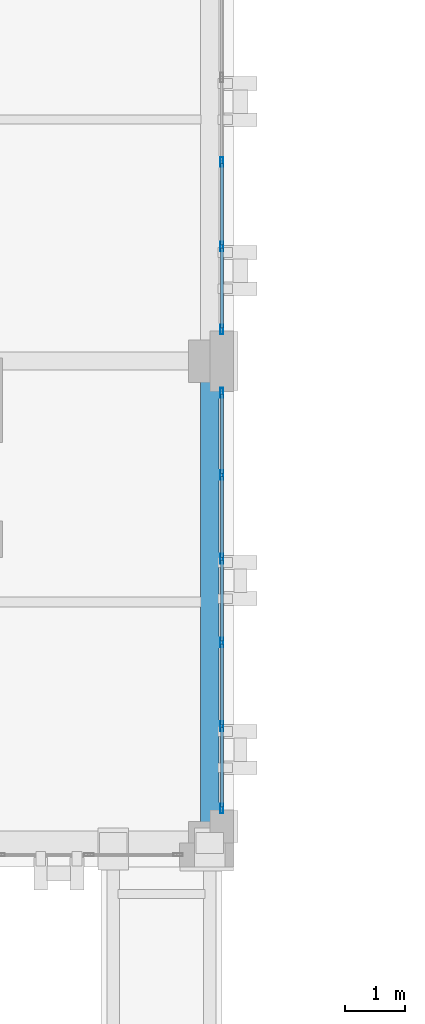
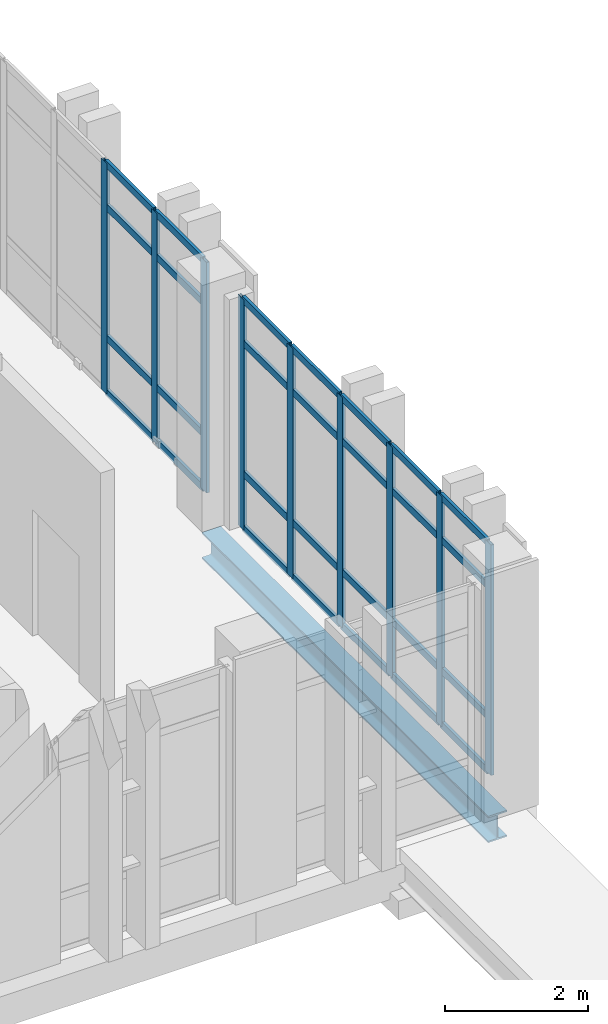
# One storey, part 32 of 158: 37 members, 1 beam, 2 elements without a shape of their own.
"""IFC4 building model written with IfcOpenShell, lengths in metres."""

from ifc_helpers import new_model, si_unit, direction, frame, origin, origin_2d, place, context, subcontext, project, spatial, hollow_rectangle, i_section, extrude, material, layer, layer_set, material_profile, profile_set, type_object, element, aggregate, save


model = new_model("IFC4")

# Units and contexts
model_context = context("Model", 3, precision=1e-05, world=origin(), true_north=direction((0.0, 1.0)))
body_context = subcontext(model_context, "Body", "Model", "MODEL_VIEW")
ifc_project = project(units=[si_unit("LENGTHUNIT", "METRE"), si_unit("AREAUNIT", "SQUARE_METRE"), si_unit("VOLUMEUNIT", "CUBIC_METRE"), si_unit("PLANEANGLEUNIT", "RADIAN"), si_unit("MASSUNIT", "GRAM", prefix="KILO")], contexts=[model_context])

# Site, building, storey
site_placement = place(None, origin())
site = spatial("IfcSite", under=ifc_project, at=site_placement, CompositionType="ELEMENT")
building_placement = place(site_placement, origin())
building = spatial("IfcBuilding", under=site, at=building_placement, Name="Qalavern Law Courts", CompositionType="ELEMENT")
storey_placement = place(building_placement, frame((0.0, 0.0, 18.60009765625)))
storey = spatial("IfcBuildingStorey", under=building, at=storey_placement, Name="L04", CompositionType="ELEMENT", Elevation=18.60009765625)

# Curtain wall, members
ifc_material_1 = material(Name="Anodised aluminium and insulated glazing", Category="aluminium")
ifc_layer = layer(ifc_material_1, 0.159912109375)
ifc_layer_set = layer_set([ifc_layer], Name="Anodised aluminium and insulated glazing")
curtain_wall_type = type_object("IfcCurtainWallType", Name="ENV-CW-CHAMB", PredefinedType="USERDEFINED", material=ifc_layer_set)
curtain_wall_1_placement = place(storey_placement, origin())
curtain_wall_1 = element("IfcCurtainWall", 1, at=curtain_wall_1_placement, inside=storey, type_object=curtain_wall_type, Name="V3 unitised curtain wall L04 east 1", ObjectType="UNITISED CURTAIN WALL", PredefinedType="USERDEFINED")
ifc_material_2 = material(Name="Anodised aluminium", Category="aluminium")
ifc_material_profile_1 = material_profile(ifc_material_2, hollow_rectangle(XDim=0.048095703125, YDim=0.159912109375, WallThickness=0.00390625, at=origin_2d()), Name="ALU MULLION 48x160")
ifc_profile_set_1 = profile_set([ifc_material_profile_1], Name="Anodised aluminium")
member_type_1 = type_object("IfcMemberType", Name="ENV-CWM-48x160", PredefinedType="MULLION", material=ifc_profile_set_1)
member_1_placement = place(storey_placement, frame((18.60009765625, 41.989013671875, 0.0), z_axis=(0.0, 0.0, 1.0), x_axis=(-1.0, 0.0, 0.0)))
member_1 = element("IfcMember", 2, at=member_1_placement, type_object=member_type_1, Name="CW-04 mullion 1", PredefinedType="MULLION", context=body_context, shape_type="SweptSolid", body=[
    extrude(hollow_rectangle(XDim=0.048095703125, YDim=0.159912109375, WallThickness=0.00390625, at=origin_2d()), origin(), (0.0, 0.0, 1.0), 3.9248046875),
])
member_2_placement = place(storey_placement, frame((18.60009765625, 43.35205078125, 0.0), z_axis=(0.0, 0.0, 1.0), x_axis=(-1.0, 0.0, 0.0)))
member_2 = element("IfcMember", 3, at=member_2_placement, type_object=member_type_1, Name="CW-04 mullion 2", PredefinedType="MULLION", context=body_context, shape_type="SweptSolid", body=[
    extrude(hollow_rectangle(XDim=0.048095703125, YDim=0.159912109375, WallThickness=0.00390625, at=origin_2d()), origin(), (0.0, 0.0, 1.0), 3.9248046875),
])
member_3_placement = place(storey_placement, frame((18.60009765625, 44.739013671875, 0.0), z_axis=(0.0, 0.0, 1.0), x_axis=(-1.0, 0.0, 0.0)))
member_3 = element("IfcMember", 4, at=member_3_placement, type_object=member_type_1, Name="CW-04 mullion 3", PredefinedType="MULLION", context=body_context, shape_type="SweptSolid", body=[
    extrude(hollow_rectangle(XDim=0.048095703125, YDim=0.159912109375, WallThickness=0.00390625, at=origin_2d()), origin(), (0.0, 0.0, 1.0), 3.9248046875),
])
member_4_placement = place(storey_placement, frame((18.60009765625, 46.1259765625, 0.0), z_axis=(0.0, 0.0, 1.0), x_axis=(-1.0, 0.0, 0.0)))
member_4 = element("IfcMember", 5, at=member_4_placement, type_object=member_type_1, Name="CW-04 mullion 4", PredefinedType="MULLION", context=body_context, shape_type="SweptSolid", body=[
    extrude(hollow_rectangle(XDim=0.048095703125, YDim=0.159912109375, WallThickness=0.00390625, at=origin_2d()), origin(), (0.0, 0.0, 1.0), 3.9248046875),
])
member_5_placement = place(storey_placement, frame((18.60009765625, 47.512939453125, 0.0), z_axis=(0.0, 0.0, 1.0), x_axis=(-1.0, 0.0, 0.0)))
member_5 = element("IfcMember", 6, at=member_5_placement, type_object=member_type_1, Name="CW-04 mullion 5", PredefinedType="MULLION", context=body_context, shape_type="SweptSolid", body=[
    extrude(hollow_rectangle(XDim=0.048095703125, YDim=0.159912109375, WallThickness=0.00390625, at=origin_2d()), origin(), (0.0, 0.0, 1.0), 3.9248046875),
])
member_6_placement = place(storey_placement, frame((18.60009765625, 48.8759765625, 0.0), z_axis=(0.0, 0.0, 1.0), x_axis=(-1.0, 0.0, 0.0)))
member_6 = element("IfcMember", 7, at=member_6_placement, type_object=member_type_1, Name="CW-04 mullion 6", PredefinedType="MULLION", context=body_context, shape_type="SweptSolid", body=[
    extrude(hollow_rectangle(XDim=0.048095703125, YDim=0.159912109375, WallThickness=0.00390625, at=origin_2d()), origin(), (0.0, 0.0, 1.0), 3.9248046875),
])

curtain_wall_2_placement = place(storey_placement, origin())
curtain_wall_2 = element("IfcCurtainWall", 8, at=curtain_wall_2_placement, inside=storey, type_object=curtain_wall_type, Name="V3 unitised curtain wall L04 east 2", ObjectType="UNITISED CURTAIN WALL", PredefinedType="USERDEFINED")
member_7_placement = place(storey_placement, frame((18.60009765625, 49.924072265625, 0.0), z_axis=(0.0, 0.0, 1.0), x_axis=(-1.0, 0.0, 0.0)))
member_7 = element("IfcMember", 9, at=member_7_placement, type_object=member_type_1, Name="CW-04 mullion 1", PredefinedType="MULLION", context=body_context, shape_type="SweptSolid", body=[
    extrude(hollow_rectangle(XDim=0.048095703125, YDim=0.159912109375, WallThickness=0.00390625, at=origin_2d()), origin(), (0.0, 0.0, 1.0), 3.9248046875),
])
member_8_placement = place(storey_placement, frame((18.60009765625, 51.300048828125, 0.0), z_axis=(0.0, 0.0, 1.0), x_axis=(-1.0, 0.0, 0.0)))
member_8 = element("IfcMember", 10, at=member_8_placement, type_object=member_type_1, Name="CW-04 mullion 2", PredefinedType="MULLION", context=body_context, shape_type="SweptSolid", body=[
    extrude(hollow_rectangle(XDim=0.048095703125, YDim=0.159912109375, WallThickness=0.00390625, at=origin_2d()), origin(), (0.0, 0.0, 1.0), 3.9248046875),
])
member_9_placement = place(storey_placement, frame((18.60009765625, 52.699951171875, 0.0), z_axis=(0.0, 0.0, 1.0), x_axis=(-1.0, 0.0, 0.0)))
member_9 = element("IfcMember", 11, at=member_9_placement, type_object=member_type_1, Name="CW-04 mullion 3", PredefinedType="MULLION", context=body_context, shape_type="SweptSolid", body=[
    extrude(hollow_rectangle(XDim=0.048095703125, YDim=0.159912109375, WallThickness=0.00390625, at=origin_2d()), origin(), (0.0, 0.0, 1.0), 3.9248046875),
])

# Member
ifc_material_profile_2 = material_profile(ifc_material_2, hollow_rectangle(XDim=0.048095703125, YDim=0.1201171875, WallThickness=0.00390625, at=origin_2d()), Name="ALU TRANSOM 48x120")
ifc_profile_set_2 = profile_set([ifc_material_profile_2], Name="Anodised aluminium")
member_type_2 = type_object("IfcMemberType", Name="ENV-CWT-48x120", PredefinedType="USERDEFINED", material=ifc_profile_set_2)
member_10_placement = place(storey_placement, frame((18.60009765625, 42.012939453125, 0.02392578125), z_axis=(0.0, 1.0, 0.0), x_axis=(-1.0, 0.0, 0.0)))
member_10 = element("IfcMember", 12, at=member_10_placement, type_object=member_type_2, Name="CW-04 transom 1.1", ObjectType="TRANSOM", PredefinedType="USERDEFINED", context=body_context, shape_type="SweptSolid", body=[
    extrude(hollow_rectangle(XDim=0.048095703125, YDim=0.1201171875, WallThickness=0.00390625, at=origin_2d()), origin(), (0.0, 0.0, 1.0), 1.31494140625),
])

member_11_placement = place(storey_placement, frame((18.60009765625, 42.012939453125, 0.949951171875), z_axis=(0.0, 1.0, 0.0), x_axis=(-1.0, 0.0, 0.0)))
member_11 = element("IfcMember", 13, at=member_11_placement, type_object=member_type_2, Name="CW-04 transom 1.2", ObjectType="TRANSOM", PredefinedType="USERDEFINED", context=body_context, shape_type="SweptSolid", body=[
    extrude(hollow_rectangle(XDim=0.048095703125, YDim=0.1201171875, WallThickness=0.00390625, at=origin_2d()), origin(), (0.0, 0.0, 1.0), 1.31494140625),
])

member_12_placement = place(storey_placement, frame((18.60009765625, 42.012939453125, 3.1748046875), z_axis=(0.0, 1.0, 0.0), x_axis=(-1.0, 0.0, 0.0)))
member_12 = element("IfcMember", 14, at=member_12_placement, type_object=member_type_2, Name="CW-04 transom 1.3", ObjectType="TRANSOM", PredefinedType="USERDEFINED", context=body_context, shape_type="SweptSolid", body=[
    extrude(hollow_rectangle(XDim=0.048095703125, YDim=0.1201171875, WallThickness=0.00390625, at=origin_2d()), origin(), (0.0, 0.0, 1.0), 1.31494140625),
])

member_13_placement = place(storey_placement, frame((18.60009765625, 42.012939453125, 3.90087890625), z_axis=(0.0, 1.0, 0.0), x_axis=(-1.0, 0.0, 0.0)))
member_13 = element("IfcMember", 15, at=member_13_placement, type_object=member_type_2, Name="CW-04 transom 1.4", ObjectType="TRANSOM", PredefinedType="USERDEFINED", context=body_context, shape_type="SweptSolid", body=[
    extrude(hollow_rectangle(XDim=0.048095703125, YDim=0.1201171875, WallThickness=0.00390625, at=origin_2d()), origin(), (0.0, 0.0, 1.0), 1.31494140625),
])

member_14_placement = place(storey_placement, frame((18.60009765625, 43.3759765625, 0.02392578125), z_axis=(0.0, 1.0, 0.0), x_axis=(-1.0, 0.0, 0.0)))
member_14 = element("IfcMember", 16, at=member_14_placement, type_object=member_type_2, Name="CW-04 transom 2.1", ObjectType="TRANSOM", PredefinedType="USERDEFINED", context=body_context, shape_type="SweptSolid", body=[
    extrude(hollow_rectangle(XDim=0.048095703125, YDim=0.1201171875, WallThickness=0.00390625, at=origin_2d()), origin(), (0.0, 0.0, 1.0), 1.339111328125),
])

member_15_placement = place(storey_placement, frame((18.60009765625, 43.3759765625, 0.949951171875), z_axis=(0.0, 1.0, 0.0), x_axis=(-1.0, 0.0, 0.0)))
member_15 = element("IfcMember", 17, at=member_15_placement, type_object=member_type_2, Name="CW-04 transom 2.2", ObjectType="TRANSOM", PredefinedType="USERDEFINED", context=body_context, shape_type="SweptSolid", body=[
    extrude(hollow_rectangle(XDim=0.048095703125, YDim=0.1201171875, WallThickness=0.00390625, at=origin_2d()), origin(), (0.0, 0.0, 1.0), 1.339111328125),
])

member_16_placement = place(storey_placement, frame((18.60009765625, 43.3759765625, 3.1748046875), z_axis=(0.0, 1.0, 0.0), x_axis=(-1.0, 0.0, 0.0)))
member_16 = element("IfcMember", 18, at=member_16_placement, type_object=member_type_2, Name="CW-04 transom 2.3", ObjectType="TRANSOM", PredefinedType="USERDEFINED", context=body_context, shape_type="SweptSolid", body=[
    extrude(hollow_rectangle(XDim=0.048095703125, YDim=0.1201171875, WallThickness=0.00390625, at=origin_2d()), origin(), (0.0, 0.0, 1.0), 1.339111328125),
])

member_17_placement = place(storey_placement, frame((18.60009765625, 43.3759765625, 3.90087890625), z_axis=(0.0, 1.0, 0.0), x_axis=(-1.0, 0.0, 0.0)))
member_17 = element("IfcMember", 19, at=member_17_placement, type_object=member_type_2, Name="CW-04 transom 2.4", ObjectType="TRANSOM", PredefinedType="USERDEFINED", context=body_context, shape_type="SweptSolid", body=[
    extrude(hollow_rectangle(XDim=0.048095703125, YDim=0.1201171875, WallThickness=0.00390625, at=origin_2d()), origin(), (0.0, 0.0, 1.0), 1.339111328125),
])

member_18_placement = place(storey_placement, frame((18.60009765625, 44.762939453125, 0.02392578125), z_axis=(0.0, 1.0, 0.0), x_axis=(-1.0, 0.0, 0.0)))
member_18 = element("IfcMember", 20, at=member_18_placement, type_object=member_type_2, Name="CW-04 transom 3.1", ObjectType="TRANSOM", PredefinedType="USERDEFINED", context=body_context, shape_type="SweptSolid", body=[
    extrude(hollow_rectangle(XDim=0.048095703125, YDim=0.1201171875, WallThickness=0.00390625, at=origin_2d()), origin(), (0.0, 0.0, 1.0), 1.339111328125),
])

member_19_placement = place(storey_placement, frame((18.60009765625, 44.762939453125, 0.949951171875), z_axis=(0.0, 1.0, 0.0), x_axis=(-1.0, 0.0, 0.0)))
member_19 = element("IfcMember", 21, at=member_19_placement, type_object=member_type_2, Name="CW-04 transom 3.2", ObjectType="TRANSOM", PredefinedType="USERDEFINED", context=body_context, shape_type="SweptSolid", body=[
    extrude(hollow_rectangle(XDim=0.048095703125, YDim=0.1201171875, WallThickness=0.00390625, at=origin_2d()), origin(), (0.0, 0.0, 1.0), 1.339111328125),
])

member_20_placement = place(storey_placement, frame((18.60009765625, 44.762939453125, 3.1748046875), z_axis=(0.0, 1.0, 0.0), x_axis=(-1.0, 0.0, 0.0)))
member_20 = element("IfcMember", 22, at=member_20_placement, type_object=member_type_2, Name="CW-04 transom 3.3", ObjectType="TRANSOM", PredefinedType="USERDEFINED", context=body_context, shape_type="SweptSolid", body=[
    extrude(hollow_rectangle(XDim=0.048095703125, YDim=0.1201171875, WallThickness=0.00390625, at=origin_2d()), origin(), (0.0, 0.0, 1.0), 1.339111328125),
])

member_21_placement = place(storey_placement, frame((18.60009765625, 44.762939453125, 3.90087890625), z_axis=(0.0, 1.0, 0.0), x_axis=(-1.0, 0.0, 0.0)))
member_21 = element("IfcMember", 23, at=member_21_placement, type_object=member_type_2, Name="CW-04 transom 3.4", ObjectType="TRANSOM", PredefinedType="USERDEFINED", context=body_context, shape_type="SweptSolid", body=[
    extrude(hollow_rectangle(XDim=0.048095703125, YDim=0.1201171875, WallThickness=0.00390625, at=origin_2d()), origin(), (0.0, 0.0, 1.0), 1.339111328125),
])

member_22_placement = place(storey_placement, frame((18.60009765625, 46.14990234375, 0.02392578125), z_axis=(0.0, 1.0, 0.0), x_axis=(-1.0, 0.0, 0.0)))
member_22 = element("IfcMember", 24, at=member_22_placement, type_object=member_type_2, Name="CW-04 transom 4.1", ObjectType="TRANSOM", PredefinedType="USERDEFINED", context=body_context, shape_type="SweptSolid", body=[
    extrude(hollow_rectangle(XDim=0.048095703125, YDim=0.1201171875, WallThickness=0.00390625, at=origin_2d()), origin(), (0.0, 0.0, 1.0), 1.339111328125),
])

member_23_placement = place(storey_placement, frame((18.60009765625, 46.14990234375, 0.949951171875), z_axis=(0.0, 1.0, 0.0), x_axis=(-1.0, 0.0, 0.0)))
member_23 = element("IfcMember", 25, at=member_23_placement, type_object=member_type_2, Name="CW-04 transom 4.2", ObjectType="TRANSOM", PredefinedType="USERDEFINED", context=body_context, shape_type="SweptSolid", body=[
    extrude(hollow_rectangle(XDim=0.048095703125, YDim=0.1201171875, WallThickness=0.00390625, at=origin_2d()), origin(), (0.0, 0.0, 1.0), 1.339111328125),
])

member_24_placement = place(storey_placement, frame((18.60009765625, 46.14990234375, 3.1748046875), z_axis=(0.0, 1.0, 0.0), x_axis=(-1.0, 0.0, 0.0)))
member_24 = element("IfcMember", 26, at=member_24_placement, type_object=member_type_2, Name="CW-04 transom 4.3", ObjectType="TRANSOM", PredefinedType="USERDEFINED", context=body_context, shape_type="SweptSolid", body=[
    extrude(hollow_rectangle(XDim=0.048095703125, YDim=0.1201171875, WallThickness=0.00390625, at=origin_2d()), origin(), (0.0, 0.0, 1.0), 1.339111328125),
])

member_25_placement = place(storey_placement, frame((18.60009765625, 46.14990234375, 3.90087890625), z_axis=(0.0, 1.0, 0.0), x_axis=(-1.0, 0.0, 0.0)))
member_25 = element("IfcMember", 27, at=member_25_placement, type_object=member_type_2, Name="CW-04 transom 4.4", ObjectType="TRANSOM", PredefinedType="USERDEFINED", context=body_context, shape_type="SweptSolid", body=[
    extrude(hollow_rectangle(XDim=0.048095703125, YDim=0.1201171875, WallThickness=0.00390625, at=origin_2d()), origin(), (0.0, 0.0, 1.0), 1.339111328125),
])

member_26_placement = place(storey_placement, frame((18.60009765625, 47.537109375, 0.02392578125), z_axis=(0.0, 1.0, 0.0), x_axis=(-1.0, 0.0, 0.0)))
member_26 = element("IfcMember", 28, at=member_26_placement, type_object=member_type_2, Name="CW-04 transom 5.1", ObjectType="TRANSOM", PredefinedType="USERDEFINED", context=body_context, shape_type="SweptSolid", body=[
    extrude(hollow_rectangle(XDim=0.048095703125, YDim=0.1201171875, WallThickness=0.00390625, at=origin_2d()), origin(), (0.0, 0.0, 1.0), 1.31494140625),
])

member_27_placement = place(storey_placement, frame((18.60009765625, 47.537109375, 0.949951171875), z_axis=(0.0, 1.0, 0.0), x_axis=(-1.0, 0.0, 0.0)))
member_27 = element("IfcMember", 29, at=member_27_placement, type_object=member_type_2, Name="CW-04 transom 5.2", ObjectType="TRANSOM", PredefinedType="USERDEFINED", context=body_context, shape_type="SweptSolid", body=[
    extrude(hollow_rectangle(XDim=0.048095703125, YDim=0.1201171875, WallThickness=0.00390625, at=origin_2d()), origin(), (0.0, 0.0, 1.0), 1.31494140625),
])

member_28_placement = place(storey_placement, frame((18.60009765625, 47.537109375, 3.1748046875), z_axis=(0.0, 1.0, 0.0), x_axis=(-1.0, 0.0, 0.0)))
member_28 = element("IfcMember", 30, at=member_28_placement, type_object=member_type_2, Name="CW-04 transom 5.3", ObjectType="TRANSOM", PredefinedType="USERDEFINED", context=body_context, shape_type="SweptSolid", body=[
    extrude(hollow_rectangle(XDim=0.048095703125, YDim=0.1201171875, WallThickness=0.00390625, at=origin_2d()), origin(), (0.0, 0.0, 1.0), 1.31494140625),
])

member_29_placement = place(storey_placement, frame((18.60009765625, 47.537109375, 3.90087890625), z_axis=(0.0, 1.0, 0.0), x_axis=(-1.0, 0.0, 0.0)))
member_29 = element("IfcMember", 31, at=member_29_placement, type_object=member_type_2, Name="CW-04 transom 5.4", ObjectType="TRANSOM", PredefinedType="USERDEFINED", context=body_context, shape_type="SweptSolid", body=[
    extrude(hollow_rectangle(XDim=0.048095703125, YDim=0.1201171875, WallThickness=0.00390625, at=origin_2d()), origin(), (0.0, 0.0, 1.0), 1.31494140625),
])

aggregate(curtain_wall_1, [member_1, member_2, member_3, member_4, member_5, member_6, member_10, member_11, member_12, member_13, member_14, member_15, member_16, member_17, member_18, member_19, member_20, member_21, member_22, member_23, member_24, member_25, member_26, member_27, member_28, member_29])

member_30_placement = place(storey_placement, frame((18.60009765625, 49.947998046875, 0.02392578125), z_axis=(0.0, 1.0, 0.0), x_axis=(-1.0, 0.0, 0.0)))
member_30 = element("IfcMember", 32, at=member_30_placement, type_object=member_type_2, Name="CW-04 transom 1.1", ObjectType="TRANSOM", PredefinedType="USERDEFINED", context=body_context, shape_type="SweptSolid", body=[
    extrude(hollow_rectangle(XDim=0.048095703125, YDim=0.1201171875, WallThickness=0.00390625, at=origin_2d()), origin(), (0.0, 0.0, 1.0), 1.327880859375),
])

member_31_placement = place(storey_placement, frame((18.60009765625, 49.947998046875, 0.949951171875), z_axis=(0.0, 1.0, 0.0), x_axis=(-1.0, 0.0, 0.0)))
member_31 = element("IfcMember", 33, at=member_31_placement, type_object=member_type_2, Name="CW-04 transom 1.2", ObjectType="TRANSOM", PredefinedType="USERDEFINED", context=body_context, shape_type="SweptSolid", body=[
    extrude(hollow_rectangle(XDim=0.048095703125, YDim=0.1201171875, WallThickness=0.00390625, at=origin_2d()), origin(), (0.0, 0.0, 1.0), 1.327880859375),
])

member_32_placement = place(storey_placement, frame((18.60009765625, 49.947998046875, 3.1748046875), z_axis=(0.0, 1.0, 0.0), x_axis=(-1.0, 0.0, 0.0)))
member_32 = element("IfcMember", 34, at=member_32_placement, type_object=member_type_2, Name="CW-04 transom 1.3", ObjectType="TRANSOM", PredefinedType="USERDEFINED", context=body_context, shape_type="SweptSolid", body=[
    extrude(hollow_rectangle(XDim=0.048095703125, YDim=0.1201171875, WallThickness=0.00390625, at=origin_2d()), origin(), (0.0, 0.0, 1.0), 1.327880859375),
])

member_33_placement = place(storey_placement, frame((18.60009765625, 49.947998046875, 3.90087890625), z_axis=(0.0, 1.0, 0.0), x_axis=(-1.0, 0.0, 0.0)))
member_33 = element("IfcMember", 35, at=member_33_placement, type_object=member_type_2, Name="CW-04 transom 1.4", ObjectType="TRANSOM", PredefinedType="USERDEFINED", context=body_context, shape_type="SweptSolid", body=[
    extrude(hollow_rectangle(XDim=0.048095703125, YDim=0.1201171875, WallThickness=0.00390625, at=origin_2d()), origin(), (0.0, 0.0, 1.0), 1.327880859375),
])

member_34_placement = place(storey_placement, frame((18.60009765625, 51.323974609375, 0.02392578125), z_axis=(0.0, 1.0, 0.0), x_axis=(-1.0, 0.0, 0.0)))
member_34 = element("IfcMember", 36, at=member_34_placement, type_object=member_type_2, Name="CW-04 transom 2.1", ObjectType="TRANSOM", PredefinedType="USERDEFINED", context=body_context, shape_type="SweptSolid", body=[
    extrude(hollow_rectangle(XDim=0.048095703125, YDim=0.1201171875, WallThickness=0.00390625, at=origin_2d()), origin(), (0.0, 0.0, 1.0), 1.35205078125),
])

member_35_placement = place(storey_placement, frame((18.60009765625, 51.323974609375, 0.949951171875), z_axis=(0.0, 1.0, 0.0), x_axis=(-1.0, 0.0, 0.0)))
member_35 = element("IfcMember", 37, at=member_35_placement, type_object=member_type_2, Name="CW-04 transom 2.2", ObjectType="TRANSOM", PredefinedType="USERDEFINED", context=body_context, shape_type="SweptSolid", body=[
    extrude(hollow_rectangle(XDim=0.048095703125, YDim=0.1201171875, WallThickness=0.00390625, at=origin_2d()), origin(), (0.0, 0.0, 1.0), 1.35205078125),
])

member_36_placement = place(storey_placement, frame((18.60009765625, 51.323974609375, 3.1748046875), z_axis=(0.0, 1.0, 0.0), x_axis=(-1.0, 0.0, 0.0)))
member_36 = element("IfcMember", 38, at=member_36_placement, type_object=member_type_2, Name="CW-04 transom 2.3", ObjectType="TRANSOM", PredefinedType="USERDEFINED", context=body_context, shape_type="SweptSolid", body=[
    extrude(hollow_rectangle(XDim=0.048095703125, YDim=0.1201171875, WallThickness=0.00390625, at=origin_2d()), origin(), (0.0, 0.0, 1.0), 1.35205078125),
])

member_37_placement = place(storey_placement, frame((18.60009765625, 51.323974609375, 3.90087890625), z_axis=(0.0, 1.0, 0.0), x_axis=(-1.0, 0.0, 0.0)))
member_37 = element("IfcMember", 39, at=member_37_placement, type_object=member_type_2, Name="CW-04 transom 2.4", ObjectType="TRANSOM", PredefinedType="USERDEFINED", context=body_context, shape_type="SweptSolid", body=[
    extrude(hollow_rectangle(XDim=0.048095703125, YDim=0.1201171875, WallThickness=0.00390625, at=origin_2d()), origin(), (0.0, 0.0, 1.0), 1.35205078125),
])

aggregate(curtain_wall_2, [member_7, member_8, member_9, member_30, member_31, member_32, member_33, member_34, member_35, member_36, member_37])

# Beam
ifc_material_3 = material(Name="Steel S355", Category="steel")
ifc_material_profile_3 = material_profile(ifc_material_3, i_section(OverallWidth=0.300048828125, OverallDepth=0.449951171875, WebThickness=0.013916015625, FlangeThickness=0.02587890625, FilletRadius=0.027099609375, at=origin_2d()), Name="HEB 450")
ifc_profile_set_3 = profile_set([ifc_material_profile_3], Name="Steel S355")
beam_type = type_object("IfcBeamType", Name="STR-SP-HEB450", PredefinedType="SPANDREL", material=ifc_profile_set_3)
beam_placement = place(storey_placement, frame((18.39990234375, 41.419921875, -0.505126953125), z_axis=(0.0, 1.0, 0.0), x_axis=(-1.0, 0.0, 0.0)))
element("IfcBeam", 40, at=beam_placement, inside=storey, type_object=beam_type, Name="V3 Y-beam 3-1 L04", PredefinedType="SPANDREL", context=body_context, shape_type="SweptSolid", body=[
    extrude(i_section(OverallWidth=0.300048828125, OverallDepth=0.449951171875, WebThickness=0.013916015625, FlangeThickness=0.02587890625, FilletRadius=0.027099609375, at=origin_2d()), origin(), (0.0, 0.0, 1.0), 7.97998046875),
])

save(model, "model.ifc")
